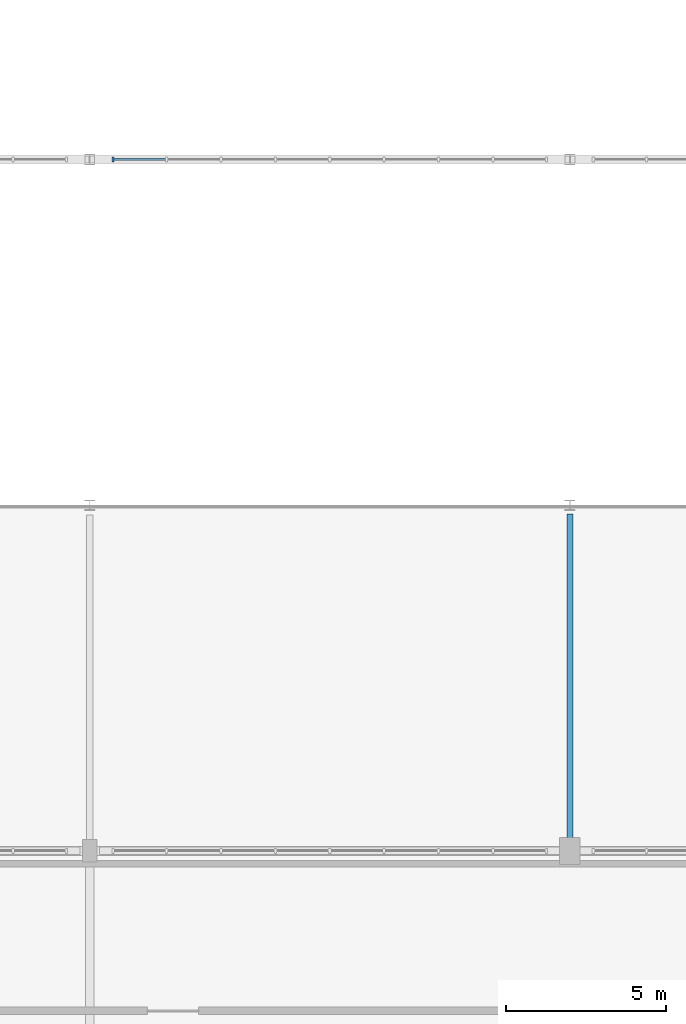
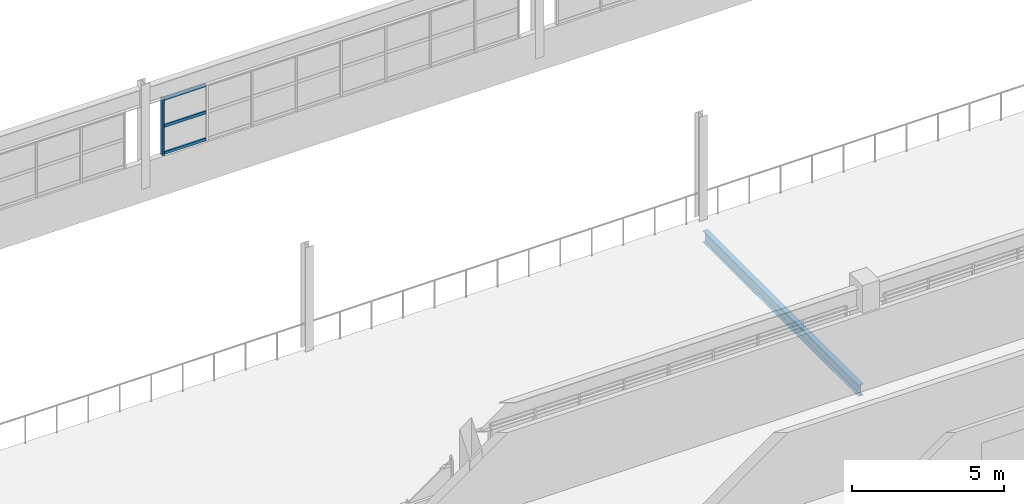
# One storey, part 14 of 92: 4 members, 1 beam, 1 element without a shape of its own.
"""IFC4 building model written with IfcOpenShell, lengths in metres."""

import ifcopenshell
import ifcopenshell.guid

model = None  # the IFC model being written
_history = None  # IfcOwnerHistory: only IFC2X3 demands one
_inside = {}  # id of a spatial element -> (the spatial element, [elements in it])
_under = {}  # id of a project, library or spatial element -> (it, [spatial elements below it])
_declared = {}  # id of a project -> (the project, [libraries it declares])
_typed = {}  # id of a type object -> (the type object, [elements of that type])
_made_of = {}  # id of a material, layer set ... -> (it, [elements and type objects made of it])


def new_model(schema):
    """Start an empty IFC model of exactly this schema.

    Asked for "IFC4X3", IfcOpenShell would pick the latest addendum, in which some entities
    have other attributes; the version numbers below select the first issue.
    IFC2X3 requires an IfcOwnerHistory on every rooted entity: one is made here for all.
    """
    global model, _history
    if schema == "IFC4X3":
        model = ifcopenshell.file(schema_version=(4, 3, 0, 0))
    else:
        model = ifcopenshell.file(schema=schema)
    _inside.clear()
    _under.clear()
    _declared.clear()
    _typed.clear()
    _made_of.clear()
    _history = None
    if model.schema == "IFC2X3":
        org = make("IfcOrganization", Name="unknown")
        user = make(
            "IfcPersonAndOrganization",
            ThePerson=make("IfcPerson", FamilyName="unknown"),
            TheOrganization=org,
        )
        app = make(
            "IfcApplication",
            ApplicationDeveloper=org,
            Version="unknown",
            ApplicationFullName="unknown",
            ApplicationIdentifier="unknown",
        )
        _history = make(
            "IfcOwnerHistory",
            OwningUser=user,
            OwningApplication=app,
            ChangeAction="ADDED",
            CreationDate=0,
        )
    return model


def make(cls, **values):
    """One entity of the class cls with the attributes given. An attribute that is None is left unset."""
    return model.create_entity(
        cls, **{name: value for name, value in values.items() if value is not None}
    )


def rooted(cls, **values):
    """An entity with a GlobalId (a new one), such as an element, a storey or a relation."""
    return make(cls, GlobalId=ifcopenshell.guid.new(), OwnerHistory=_history, **values)


def si_unit(unit_type, name, prefix=None):
    """IfcSIUnit, for example si_unit("LENGTHUNIT", "METRE", prefix="MILLI")."""
    return make("IfcSIUnit", UnitType=unit_type, Prefix=prefix, Name=name)


def assignment(units):
    """IfcUnitAssignment: the units of a project."""
    return None if units is None else make("IfcUnitAssignment", Units=units)


def point(xyz):
    """IfcCartesianPoint."""
    return None if xyz is None else make("IfcCartesianPoint", Coordinates=xyz)


def direction(xyz):
    """IfcDirection."""
    return None if xyz is None else make("IfcDirection", DirectionRatios=xyz)


def frame(location, z_axis=None, x_axis=None):
    """IfcAxis2Placement3D, a coordinate frame: its origin and axes. An axis left out is left unset."""
    return make(
        "IfcAxis2Placement3D",
        Location=point(location),
        Axis=direction(z_axis),
        RefDirection=direction(x_axis),
    )


def frame_2d(location, x_axis=None):
    """IfcAxis2Placement2D, a coordinate frame in the plane: its origin and x axis."""
    return make(
        "IfcAxis2Placement2D", Location=point(location), RefDirection=direction(x_axis)
    )


def origin():
    """The frame at (0, 0, 0) with its axes left unset."""
    return frame((0.0, 0.0, 0.0))


def origin_2d():
    """The frame at (0, 0) in the plane with its x axis left unset."""
    return frame_2d((0.0, 0.0))


def place(relative_to, where):
    """IfcLocalPlacement: puts the frame where relative to a parent placement (None: the world)."""
    return make(
        "IfcLocalPlacement", PlacementRelTo=relative_to, RelativePlacement=where
    )


def context(
    kind, dimensions, precision=None, world=None, true_north=None, identifier=None
):
    """IfcGeometricRepresentationContext, for example the 3D "Model" context."""
    return make(
        "IfcGeometricRepresentationContext",
        ContextIdentifier=identifier,
        ContextType=kind,
        CoordinateSpaceDimension=dimensions,
        Precision=precision,
        WorldCoordinateSystem=world,
        TrueNorth=true_north,
    )


def subcontext(parent, identifier, kind, view, scale=None):
    """IfcGeometricRepresentationSubContext, for example "Body" below "Model"."""
    return make(
        "IfcGeometricRepresentationSubContext",
        ContextIdentifier=identifier,
        ContextType=kind,
        ParentContext=parent,
        TargetScale=scale,
        TargetView=view,
    )


def project(units=None, contexts=None):
    """IfcProject with its units and contexts."""
    return rooted(
        "IfcProject",
        Name="project",
        RepresentationContexts=contexts,
        UnitsInContext=assignment(units),
    )


def spatial(cls, under=None, at=None, **own):
    """A site, building, storey or space (cls), placed at a placement, below another one or the project."""
    s = rooted(cls, ObjectPlacement=at, **own)
    if under is not None:
        _under.setdefault(under.id(), (under, []))[1].append(s)
    return s


def profile(cls, at=None, kind="AREA", **sizes):
    """A parametric profile (cls). Its sizes go by their IFC names, for example OverallWidth=200.0."""
    return make(cls, ProfileType=kind, Position=at, **sizes)


def rectangle(**sizes):
    """IfcRectangleProfileDef."""
    return profile("IfcRectangleProfileDef", **sizes)


def i_section(**sizes):
    """IfcIShapeProfileDef."""
    return profile("IfcIShapeProfileDef", **sizes)


def extrude(swept, where, along, depth):
    """IfcExtrudedAreaSolid: the profile swept, set in the frame where, extruded along a direction by depth."""
    return make(
        "IfcExtrudedAreaSolid",
        SweptArea=swept,
        Position=where,
        ExtrudedDirection=direction(along),
        Depth=depth,
    )


def shape(context_of_items, identifier, shape_type, items):
    """IfcShapeRepresentation: the items that make up one representation, for example the "Body"."""
    return make(
        "IfcShapeRepresentation",
        ContextOfItems=context_of_items,
        RepresentationIdentifier=identifier,
        RepresentationType=shape_type,
        Items=items,
    )


def material(Name=None, Category=None):
    """IfcMaterial."""
    return make("IfcMaterial", Name=Name, Category=Category)


def material_profile(
    of_material, cross_section, Name=None, Category=None, Priority=None
):
    """IfcMaterialProfile: a cross section and its material."""
    return make(
        "IfcMaterialProfile",
        Name=Name,
        Material=of_material,
        Profile=cross_section,
        Priority=Priority,
        Category=Category,
    )


def profile_set(profiles, Name=None, composite=None):
    """IfcMaterialProfileSet."""
    return make(
        "IfcMaterialProfileSet",
        Name=Name,
        MaterialProfiles=profiles,
        CompositeProfile=composite,
    )


def made_of(thing, what):
    """Note that an element or type object is made of a material, layer set ...; save() writes the relation."""
    if what is not None:
        _made_of.setdefault(what.id(), (what, []))[1].append(thing)
    return thing


def type_object(cls, material=None, **own):
    """A type object (cls), such as IfcWallType, which elements share."""
    return made_of(rooted(cls, **own), material)


def element(
    cls,
    number,
    at=None,
    inside=None,
    cuts=None,
    type_object=None,
    material=None,
    context=None,
    identifier="Body",
    shape_type=None,
    held_by="IfcProductDefinitionShape",
    body=None,
    shapes=None,
    **own,
):
    """One element of the class cls, such as IfcWall. Its Tag is "e" and its number.

    at: its placement. inside: the storey or other place that contains it. cuts: it is an
    opening in that element (IfcRelVoidsElement). A single representation is given by context,
    identifier, shape_type and body (its items); several are given by shapes. held_by: the class
    of the entity that holds the representations. save() writes the other relations.
    """
    e = rooted(cls, Tag="e%d" % number, ObjectPlacement=at, **own)
    if body is not None:
        shapes = [shape(context, identifier, shape_type, body)]
    if shapes is not None:
        e.Representation = make(held_by, Representations=shapes)
    if inside is not None:
        _inside.setdefault(inside.id(), (inside, []))[1].append(e)
    if cuts is not None:
        rooted(
            "IfcRelVoidsElement", RelatingBuildingElement=cuts, RelatedOpeningElement=e
        )
    if type_object is not None:
        _typed.setdefault(type_object.id(), (type_object, []))[1].append(e)
    return made_of(e, material)


def aggregate(whole, parts):
    """IfcRelAggregates: a whole, such as a stair, and the parts it consists of."""
    return rooted("IfcRelAggregates", RelatingObject=whole, RelatedObjects=parts)


def save(model, path):
    """Write the relations noted so far, then the file.

    IfcRelAggregates (storeys below a building ...), IfcRelContainedInSpatialStructure (elements
    in a storey), IfcRelDefinesByType, IfcRelAssociatesMaterial and IfcRelDeclares: one each for
    every whole, place, type object, material and project.
    """
    for whole, parts in _under.values():
        aggregate(whole, parts)
    for where, things in _inside.values():
        rooted(
            "IfcRelContainedInSpatialStructure",
            RelatedElements=things,
            RelatingStructure=where,
        )
    for kind, things in _typed.values():
        rooted("IfcRelDefinesByType", RelatedObjects=things, RelatingType=kind)
    for what, things in _made_of.values():
        rooted("IfcRelAssociatesMaterial", RelatedObjects=things, RelatingMaterial=what)
    for by, libraries in _declared.values():
        rooted("IfcRelDeclares", RelatingContext=by, RelatedDefinitions=libraries)
    model.write(path)


model = new_model("IFC4")

# Units and contexts
model_context = context("Model", 3, precision=1e-05, world=origin(), true_north=direction((0.0, 1.0)))
body_context = subcontext(model_context, "Body", "Model", "MODEL_VIEW")
ifc_project = project(units=[si_unit("LENGTHUNIT", "METRE"), si_unit("AREAUNIT", "SQUARE_METRE"), si_unit("VOLUMEUNIT", "CUBIC_METRE"), si_unit("PLANEANGLEUNIT", "RADIAN"), si_unit("MASSUNIT", "GRAM", prefix="KILO")], contexts=[model_context])

# Site, building, storey
site_placement = place(None, origin())
site = spatial("IfcSite", under=ifc_project, at=site_placement, CompositionType="ELEMENT")
building_placement = place(site_placement, origin())
building = spatial("IfcBuilding", under=site, at=building_placement, Name="Solanera Park Tramway Depot", CompositionType="ELEMENT")
storey_placement = place(building_placement, frame((0.0, 0.0, 4.800048828125)))
storey = spatial("IfcBuildingStorey", under=building, at=storey_placement, Name="L01", CompositionType="ELEMENT", Elevation=4.800048828125)

# Curtain wall, members
ifc_material_1 = material(Name="Bronze-anodised thermally broken aluminium curtain wall", Category="aluminium")
curtain_wall_type = type_object("IfcCurtainWallType", Name="Workshop Daylight Ribbon Curtain Wall", PredefinedType="NOTDEFINED", material=ifc_material_1)
curtain_wall_placement = place(storey_placement, origin())
curtain_wall = element("IfcCurtainWall", 1, at=curtain_wall_placement, inside=storey, type_object=curtain_wall_type, Name="L01 Workshop Daylight Ribbon Curtain Wall #144", PredefinedType="NOTDEFINED")
ifc_material_2 = material(Name="Bronze-anodised structural aluminium 6063-T6", Category="aluminium")
ifc_material_profile_1 = material_profile(ifc_material_2, rectangle(XDim=0.06494140625, YDim=0.14990234375, at=origin_2d()), Name="Curtain Wall Mullion 65x150")
ifc_profile_set_1 = profile_set([ifc_material_profile_1], Name="Bronze-anodised structural aluminium 6063-T6")
member_type_1 = type_object("IfcMemberType", Name="Curtain Wall Mullion 65x150", PredefinedType="MULLION", material=ifc_profile_set_1)
member_1_placement = place(storey_placement, frame((30.732421875, 54.0, 1.0), z_axis=(0.0, 0.0, 1.0), x_axis=(1.0, 0.0, 0.0)))
member_1 = element("IfcMember", 2, at=member_1_placement, type_object=member_type_1, Name="CW-L01-144 Mullion 9", PredefinedType="MULLION", context=body_context, shape_type="SweptSolid", body=[
    extrude(rectangle(XDim=0.06494140625, YDim=0.14990234375, at=origin_2d()), origin(), (0.0, 0.0, 1.0), 2.300048828125),
])
ifc_material_3 = material(Name="Bronze-anodised structural aluminium 6063-T6", Category="aluminium")
ifc_material_profile_2 = material_profile(ifc_material_3, rectangle(XDim=0.06494140625, YDim=0.1201171875, at=origin_2d()), Name="Curtain Wall Transom 65x120")
ifc_profile_set_2 = profile_set([ifc_material_profile_2], Name="Bronze-anodised structural aluminium 6063-T6")
member_type_2 = type_object("IfcMemberType", Name="Curtain Wall Transom 65x120", PredefinedType="USERDEFINED", material=ifc_profile_set_2)
member_2_placement = place(storey_placement, frame((32.3720703125, 54.0, 1.06005859375), z_axis=(-1.0, 0.0, 0.0), x_axis=(0.0, -1.0, 0.0)))
member_2 = element("IfcMember", 3, at=member_2_placement, type_object=member_type_2, Name="CW-L01-144 Transom R1.C8", ObjectType="TRANSOM", PredefinedType="USERDEFINED", context=body_context, shape_type="SweptSolid", body=[
    extrude(rectangle(XDim=0.06494140625, YDim=0.1201171875, at=origin_2d()), origin(), (0.0, 0.0, 1.0), 1.611572265625),
])
member_3_placement = place(storey_placement, frame((32.3720703125, 54.0, 2.14990234375), z_axis=(-1.0, 0.0, 0.0), x_axis=(0.0, -1.0, 0.0)))
member_3 = element("IfcMember", 4, at=member_3_placement, type_object=member_type_2, Name="CW-L01-144 Transom R2.C8", ObjectType="TRANSOM", PredefinedType="USERDEFINED", context=body_context, shape_type="SweptSolid", body=[
    extrude(rectangle(XDim=0.06494140625, YDim=0.1201171875, at=origin_2d()), origin(), (0.0, 0.0, 1.0), 1.611572265625),
])
member_4_placement = place(storey_placement, frame((32.3720703125, 54.0, 3.239990234375), z_axis=(-1.0, 0.0, 0.0), x_axis=(0.0, -1.0, 0.0)))
member_4 = element("IfcMember", 5, at=member_4_placement, type_object=member_type_2, Name="CW-L01-144 Transom R3.C8", ObjectType="TRANSOM", PredefinedType="USERDEFINED", context=body_context, shape_type="SweptSolid", body=[
    extrude(rectangle(XDim=0.06494140625, YDim=0.1201171875, at=origin_2d()), origin(), (0.0, 0.0, 1.0), 1.611572265625),
])
aggregate(curtain_wall, [member_1, member_2, member_3, member_4])

# Beam
ifc_material_4 = material(Name="Steel AS/NZS 3679.1 Grade 350", Category="steel")
ifc_material_profile_3 = material_profile(ifc_material_4, i_section(OverallWidth=0.1904296875, OverallDepth=0.45751953125, WebThickness=0.009033203125, FlangeThickness=0.014404296875, at=origin_2d()), Name="460UB74.6")
ifc_profile_set_3 = profile_set([ifc_material_profile_3], Name="Steel AS/NZS 3679.1 Grade 350")
beam_type = type_object("IfcBeamType", Name="Steel Beam 460UB74.6", PredefinedType="BEAM", material=ifc_profile_set_3)
beam_placement = place(storey_placement, frame((45.0, 32.64990234375, -0.53271484375), z_axis=(0.0, 1.0, 0.0), x_axis=(-1.0, 0.0, 0.0)))
element("IfcBeam", 6, at=beam_placement, inside=storey, type_object=beam_type, Name="L01 Primary Y-Girder 460UB74.6 #0045", PredefinedType="BEAM", context=body_context, shape_type="SweptSolid", body=[
    extrude(i_section(OverallWidth=0.1904296875, OverallDepth=0.45751953125, WebThickness=0.009033203125, FlangeThickness=0.014404296875, at=origin_2d()), origin(), (0.0, 0.0, 1.0), 10.275146484375),
])

save(model, "model.ifc")
